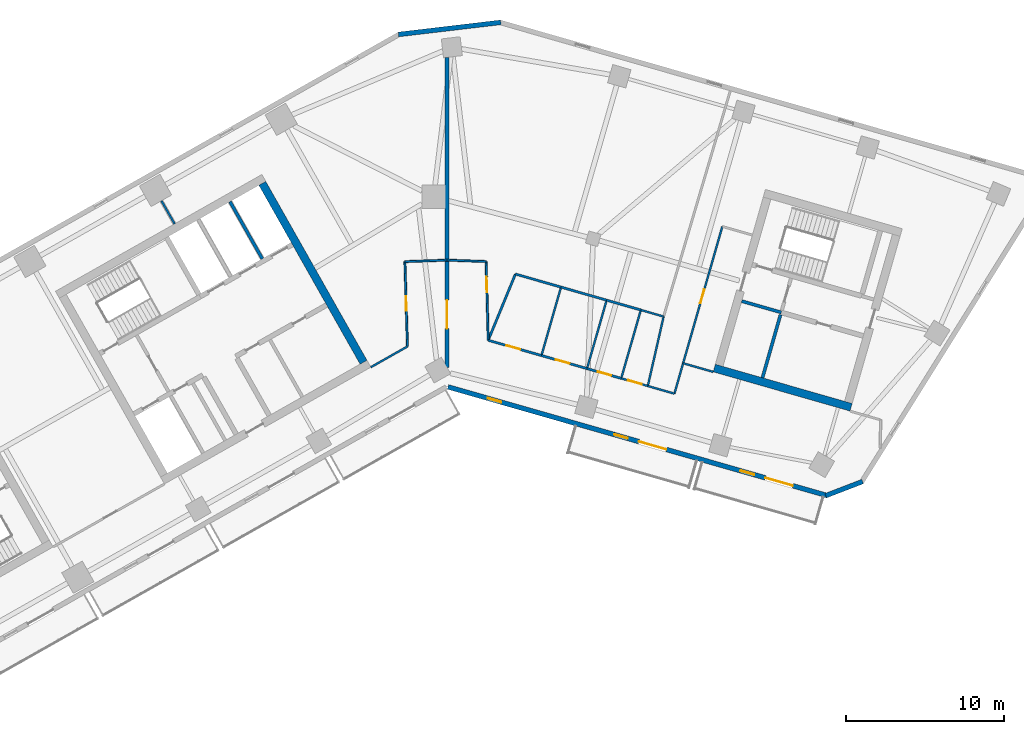
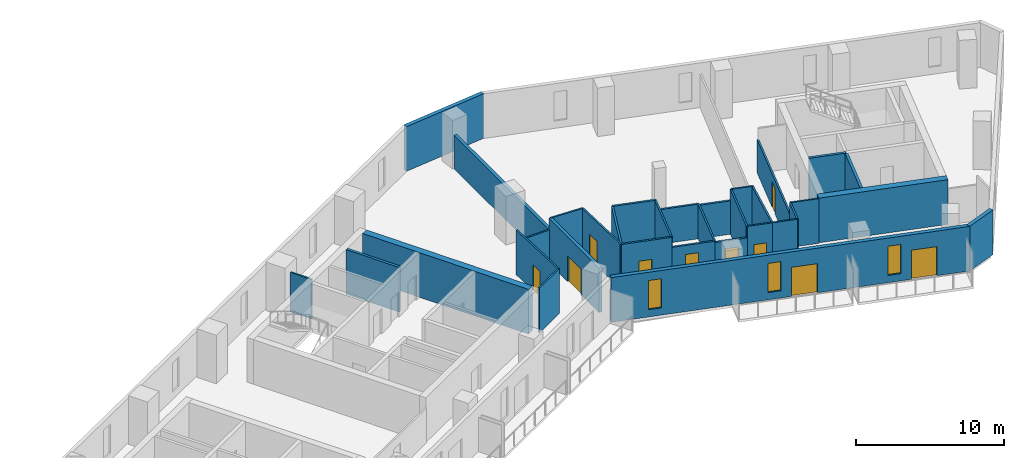
# One storey, part 5 of 9: 33 walls, 10 doors, 3 windows, 13 openings.
"""IFC4 building model written with IfcOpenShell, lengths in metres."""

from ifc_helpers import new_model, si_unit, direction, frame, frame_2d, origin, place, context, subcontext, project, spatial, rectangle, extrude, material, layer, layer_set, type_object, element, fill, save


model = new_model("IFC4")

# Units and contexts
model_context = context("Model", 3, precision=1e-05, world=origin(), true_north=direction((0.0, 1.0)))
body_context = subcontext(model_context, "Body", "Model", "MODEL_VIEW")
ifc_project = project(units=[si_unit("LENGTHUNIT", "METRE"), si_unit("AREAUNIT", "SQUARE_METRE"), si_unit("VOLUMEUNIT", "CUBIC_METRE"), si_unit("PLANEANGLEUNIT", "RADIAN"), si_unit("MASSUNIT", "GRAM", prefix="KILO")], contexts=[model_context])

# Site, building, storey
site_placement = place(None, origin())
site = spatial("IfcSite", under=ifc_project, at=site_placement, CompositionType="ELEMENT")
building_placement = place(site_placement, origin())
building = spatial("IfcBuilding", under=site, at=building_placement, Name="Binnacle Exchange Tower", CompositionType="ELEMENT")
storey_placement = place(building_placement, frame((0.0, 0.0, 166.89990234375)))
storey = spatial("IfcBuildingStorey", under=building, at=storey_placement, Name="L35", CompositionType="ELEMENT", Elevation=166.89990234375)

# Walls
ifc_material_1 = material(Name="Concrete C70/85", Category="concrete")
ifc_layer_1 = layer(ifc_material_1, 0.5)
ifc_layer_set_1 = layer_set([ifc_layer_1], Name="Core wall - outer 500")
wall_type_1 = type_object("IfcWallType", Name="Core wall - outer 500", PredefinedType="SOLIDWALL", material=ifc_layer_set_1)
wall_1_placement = place(storey_placement, frame((-11.686767578125, 60.856201171875, 0.0), z_axis=(0.0, 0.0, 1.0), x_axis=(0.492427267353, -0.870353598469, 0.0)))
element("IfcWall", 1, at=wall_1_placement, inside=storey, type_object=wall_type_1, Name="Core wall CRWC24", PredefinedType="SOLIDWALL", context=body_context, shape_type="SweptSolid", body=[
    extrude(rectangle(XDim=13.0, YDim=0.5, at=frame_2d((6.5, 0.0))), origin(), (0.0, 0.0, 1.0), 3.68017578125),
])
wall_2_placement = place(storey_placement, frame((16.896728515625, 49.173095703125, 0.0), z_axis=(0.0, 0.0, 1.0), x_axis=(0.96126248289, -0.275634611374, 0.0)))
element("IfcWall", 2, at=wall_2_placement, inside=storey, type_object=wall_type_1, Name="Core wall CRWD1", PredefinedType="SOLIDWALL", context=body_context, shape_type="SweptSolid", body=[
    extrude(rectangle(XDim=9.0, YDim=0.5, at=frame_2d((4.5, 0.0))), origin(), (0.0, 0.0, 1.0), 3.68017578125),
])

# Wall, openings, doors, windows
ifc_material_2 = material(Name="Bronze aluminium cladding", Category="aluminium")
ifc_layer_2 = layer(ifc_material_2, 0.300048828125)
ifc_layer_set_2 = layer_set([ifc_layer_2], Name="External wall - spandrel 300")
wall_type_2 = type_object("IfcWallType", Name="External wall - spandrel 300", PredefinedType="STANDARD", material=ifc_layer_set_2)
wall_3_placement = place(storey_placement, frame((24.04248046875, 41.10595703125, 0.0), z_axis=(0.0, 0.0, 1.0), x_axis=(-0.961261693976, 0.275637362661, 0.0)))
wall_3 = element("IfcWall", 3, at=wall_3_placement, inside=storey, type_object=wall_type_2, Name="External wall EW-G02 L35", PredefinedType="STANDARD", context=body_context, shape_type="SweptSolid", body=[
    extrude(rectangle(XDim=24.948486328125, YDim=0.300048828125, at=frame_2d((12.47412109375, 0.0))), origin(), (0.0, 0.0, 1.0), 3.68017578125),
])
opening_1_placement = place(wall_3_placement, frame((21.441162109375, 0.0, 0.60009765625)))
opening_1 = element("IfcOpeningElement", 4, at=opening_1_placement, cuts=wall_3, Name="Opening WS3", PredefinedType="OPENING", context=body_context, shape_type="SweptSolid", body=[
    extrude(rectangle(XDim=0.89990234375, YDim=2.39990234375, at=frame_2d((0.449951171875, 1.199951171875))), frame((0.0, 0.159912109375, 0.0), z_axis=(0.0, -1.0, 0.0), x_axis=(1.0, 0.0, 0.0)), (0.0, 0.0, 1.0), 0.320068359375),
])
opening_2_placement = place(wall_3_placement, frame((13.120849609375, 0.0, 0.60009765625)))
opening_2 = element("IfcOpeningElement", 5, at=opening_2_placement, cuts=wall_3, Name="Opening WS3", PredefinedType="OPENING", context=body_context, shape_type="SweptSolid", body=[
    extrude(rectangle(XDim=0.89990234375, YDim=2.39990234375, at=frame_2d((0.449951171875, 1.199951171875))), frame((0.0, 0.159912109375, 0.0), z_axis=(0.0, -1.0, 0.0), x_axis=(1.0, 0.0, 0.0)), (0.0, 0.0, 1.0), 0.320068359375),
])
opening_3_placement = place(wall_3_placement, frame((10.5908203125, 0.0, 0.0)))
opening_3 = element("IfcOpeningElement", 6, at=opening_3_placement, cuts=wall_3, Name="Opening D-FS11-06", PredefinedType="OPENING", context=body_context, shape_type="SweptSolid", body=[
    extrude(rectangle(XDim=1.800048828125, YDim=2.39990234375, at=frame_2d((0.89990234375, 1.199951171875))), frame((0.0, 0.159912109375, 0.0), z_axis=(0.0, -1.0, 0.0), x_axis=(1.0, 0.0, 0.0)), (0.0, 0.0, 1.0), 0.320068359375),
])
opening_4_placement = place(wall_3_placement, frame((4.80029296875, 0.0, 0.60009765625)))
opening_4 = element("IfcOpeningElement", 7, at=opening_4_placement, cuts=wall_3, Name="Opening WS3", PredefinedType="OPENING", context=body_context, shape_type="SweptSolid", body=[
    extrude(rectangle(XDim=0.89990234375, YDim=2.39990234375, at=frame_2d((0.449951171875, 1.199951171875))), frame((0.0, 0.159912109375, 0.0), z_axis=(0.0, -1.0, 0.0), x_axis=(1.0, 0.0, 0.0)), (0.0, 0.0, 1.0), 0.320068359375),
])
opening_5_placement = place(wall_3_placement, frame((2.270263671875, 0.0, 0.0)))
opening_5 = element("IfcOpeningElement", 8, at=opening_5_placement, cuts=wall_3, Name="Opening D-FS11-07", PredefinedType="OPENING", context=body_context, shape_type="SweptSolid", body=[
    extrude(rectangle(XDim=1.800048828125, YDim=2.39990234375, at=frame_2d((0.89990234375, 1.199951171875))), frame((0.0, 0.159912109375, 0.0), z_axis=(0.0, -1.0, 0.0), x_axis=(1.0, 0.0, 0.0)), (0.0, 0.0, 1.0), 0.320068359375),
])
ifc_material_3 = material(Name="Bronze anodised aluminium frame", Category="aluminium")
door_type_1 = type_object("IfcDoorType", Name="DB DOOR 1800x2400", OperationType="DOUBLE_DOOR_SINGLE_SWING", PredefinedType="DOOR", material=ifc_material_3)
door_1_placement = place(opening_3_placement, origin())
door_1 = element("IfcDoor", 9, at=door_1_placement, inside=storey, type_object=door_type_1, Name="Door D-FS11-06 L35", OperationType="DOUBLE_DOOR_SINGLE_SWING", OverallHeight=2.39990234375, OverallWidth=1.800048828125, PredefinedType="DOOR", context=body_context, shape_type="SweptSolid", body=[
    extrude(rectangle(XDim=1.800048828125, YDim=2.39990234375, at=frame_2d((0.89990234375, 1.199951171875))), frame((0.0, 0.02490234375, 0.0), z_axis=(0.0, -1.0, 0.0), x_axis=(1.0, 0.0, 0.0)), (0.0, 0.0, 1.0), 0.050048828125),
])
fill(opening_3, door_1)
door_2_placement = place(opening_5_placement, origin())
door_2 = element("IfcDoor", 10, at=door_2_placement, inside=storey, type_object=door_type_1, Name="Door D-FS11-07 L35", OperationType="DOUBLE_DOOR_SINGLE_SWING", OverallHeight=2.39990234375, OverallWidth=1.800048828125, PredefinedType="DOOR", context=body_context, shape_type="SweptSolid", body=[
    extrude(rectangle(XDim=1.800048828125, YDim=2.39990234375, at=frame_2d((0.89990234375, 1.199951171875))), frame((0.0, 0.02490234375, 0.0), z_axis=(0.0, -1.0, 0.0), x_axis=(1.0, 0.0, 0.0)), (0.0, 0.0, 1.0), 0.050048828125),
])
fill(opening_5, door_2)
window_type = type_object("IfcWindowType", Name="WS3 WINDOW 900x2400", PartitioningType="SINGLE_PANEL", PredefinedType="WINDOW", material=ifc_material_3)
window_1_placement = place(opening_1_placement, origin())
window_1 = element("IfcWindow", 11, at=window_1_placement, inside=storey, type_object=window_type, Name="Window WS3 L35", OverallHeight=2.39990234375, OverallWidth=0.89990234375, PartitioningType="SINGLE_PANEL", PredefinedType="WINDOW", context=body_context, shape_type="SweptSolid", body=[
    extrude(rectangle(XDim=0.89990234375, YDim=2.39990234375, at=frame_2d((0.449951171875, 1.199951171875))), frame((0.0, 0.030029296875, 0.0), z_axis=(0.0, -1.0, 0.0), x_axis=(1.0, 0.0, 0.0)), (0.0, 0.0, 1.0), 0.06005859375),
])
fill(opening_1, window_1)
window_2_placement = place(opening_2_placement, origin())
window_2 = element("IfcWindow", 12, at=window_2_placement, inside=storey, type_object=window_type, Name="Window WS3 L35", OverallHeight=2.39990234375, OverallWidth=0.89990234375, PartitioningType="SINGLE_PANEL", PredefinedType="WINDOW", context=body_context, shape_type="SweptSolid", body=[
    extrude(rectangle(XDim=0.89990234375, YDim=2.39990234375, at=frame_2d((0.449951171875, 1.199951171875))), frame((0.0, 0.030029296875, 0.0), z_axis=(0.0, -1.0, 0.0), x_axis=(1.0, 0.0, 0.0)), (0.0, 0.0, 1.0), 0.06005859375),
])
fill(opening_2, window_2)
window_3_placement = place(opening_4_placement, origin())
window_3 = element("IfcWindow", 13, at=window_3_placement, inside=storey, type_object=window_type, Name="Window WS3 L35", OverallHeight=2.39990234375, OverallWidth=0.89990234375, PartitioningType="SINGLE_PANEL", PredefinedType="WINDOW", context=body_context, shape_type="SweptSolid", body=[
    extrude(rectangle(XDim=0.89990234375, YDim=2.39990234375, at=frame_2d((0.449951171875, 1.199951171875))), frame((0.0, 0.030029296875, 0.0), z_axis=(0.0, -1.0, 0.0), x_axis=(1.0, 0.0, 0.0)), (0.0, 0.0, 1.0), 0.06005859375),
])
fill(opening_4, window_3)

# Walls
wall_4_placement = place(storey_placement, frame((26.27783203125, 41.996337890625, 0.0), z_axis=(0.0, 0.0, 1.0), x_axis=(-0.933592404159, -0.358336745112, 0.0)))
element("IfcWall", 14, at=wall_4_placement, inside=storey, type_object=wall_type_2, Name="External wall EW-G03 L35", PredefinedType="STANDARD", context=body_context, shape_type="SweptSolid", body=[
    extrude(rectangle(XDim=2.496337890625, YDim=0.300048828125, at=frame_2d((1.248046875, 0.0))), origin(), (0.0, 0.0, 1.0), 3.68017578125),
])
wall_5_placement = place(storey_placement, frame((-3.076171875, 70.27294921875, 0.0), z_axis=(0.0, 0.0, 1.0), x_axis=(0.993067743007, 0.117543429416, 0.0)))
element("IfcWall", 15, at=wall_5_placement, inside=storey, type_object=wall_type_2, Name="External wall EW-G07 L35", PredefinedType="STANDARD", context=body_context, shape_type="SweptSolid", body=[
    extrude(rectangle(XDim=6.515625, YDim=0.300048828125, at=frame_2d((3.2578125, 0.0))), origin(), (0.0, 0.0, 1.0), 3.68017578125),
])

# Wall, opening, door
ifc_material_4 = material(Name="Concrete fire wall C30/37", Category="concrete")
ifc_layer_3 = layer(ifc_material_4, 0.25)
ifc_layer_set_3 = layer_set([ifc_layer_3], Name="Fire wall - compartment 250")
wall_type_3 = type_object("IfcWallType", Name="Fire wall - compartment 250", PredefinedType="PARTITIONING", material=ifc_layer_set_3)
wall_6_placement = place(storey_placement, frame((0.0, 49.218994140625, 0.0), z_axis=(0.0, 0.0, 1.0), x_axis=(0.0, 1.0, 0.0)))
wall_6 = element("IfcWall", 16, at=wall_6_placement, inside=storey, type_object=wall_type_3, Name="Fire Wall W09", PredefinedType="PARTITIONING", context=body_context, shape_type="SweptSolid", body=[
    extrude(rectangle(XDim=6.781005859375, YDim=0.25, at=frame_2d((3.390625, 0.0))), origin(), (0.0, 0.0, 1.0), 3.68017578125),
])
opening_6_placement = place(wall_6_placement, frame((2.449951171875, 0.0, 0.0)))
opening_6 = element("IfcOpeningElement", 17, at=opening_6_placement, cuts=wall_6, Name="Opening DL35-10", PredefinedType="OPENING", context=body_context, shape_type="SweptSolid", body=[
    extrude(rectangle(XDim=1.800048828125, YDim=2.10009765625, at=frame_2d((0.89990234375, 1.050048828125))), frame((0.0, 0.135009765625, 0.0), z_axis=(0.0, -1.0, 0.0), x_axis=(1.0, 0.0, 0.0)), (0.0, 0.0, 1.0), 0.27001953125),
])
ifc_material_5 = material(Name="Steel door leaf", Category="steel")
door_type_2 = type_object("IfcDoorType", Name="Fire door 1800", OperationType="NOTDEFINED", PredefinedType="DOOR", material=ifc_material_5)
door_3_placement = place(opening_6_placement, origin())
door_3 = element("IfcDoor", 18, at=door_3_placement, inside=storey, type_object=door_type_2, Name="Door DL35-10", OperationType="DOUBLE_DOOR_SINGLE_SWING", OverallHeight=2.10009765625, OverallWidth=1.800048828125, PredefinedType="DOOR", context=body_context, shape_type="SweptSolid", body=[
    extrude(rectangle(XDim=1.800048828125, YDim=2.10009765625, at=frame_2d((0.89990234375, 1.050048828125))), frame((0.0, 0.02490234375, 0.0), z_axis=(0.0, -1.0, 0.0), x_axis=(1.0, 0.0, 0.0)), (0.0, 0.0, 1.0), 0.050048828125),
])
fill(opening_6, door_3)

# Walls
wall_7_placement = place(storey_placement, frame((0.0, 56.0, 0.0), z_axis=(0.0, 0.0, 1.0), x_axis=(0.0, 1.0, 0.0)))
element("IfcWall", 19, at=wall_7_placement, inside=storey, type_object=wall_type_3, Name="Fire Wall W10", PredefinedType="PARTITIONING", context=body_context, shape_type="SweptSolid", body=[
    extrude(rectangle(XDim=12.823974609375, YDim=0.25, at=frame_2d((6.412109375, 0.0))), origin(), (0.0, 0.0, 1.0), 2.748046875),
])
ifc_material_6 = material(Name="Gypsum partition fire rated")
ifc_layer_4 = layer(ifc_material_6, 0.14990234375)
ifc_layer_set_4 = layer_set([ifc_layer_4], Name="Fire-rated partition 150")
wall_type_4 = type_object("IfcWallType", Name="Fire-rated partition 150", PredefinedType="PARTITIONING", material=ifc_layer_set_4)
wall_8_placement = place(storey_placement, frame((2.60107421875, 50.931884765625, 0.0), z_axis=(0.0, 0.0, 1.0), x_axis=(0.380066317543, 0.924959239247, 0.0)))
element("IfcWall", 20, at=wall_8_placement, inside=storey, type_object=wall_type_4, Name="Partition W13", PredefinedType="PARTITIONING", context=body_context, shape_type="SweptSolid", body=[
    extrude(rectangle(XDim=4.528076171875, YDim=0.14990234375, at=frame_2d((2.26416015625, 0.0))), origin(), (0.0, 0.0, 1.0), 3.68017578125),
])

# Wall, opening, door
wall_9_placement = place(storey_placement, frame((2.60107421875, 50.931884765625, 0.0), z_axis=(0.0, 0.0, 1.0), x_axis=(0.961265606965, -0.27562371608, 0.0)))
wall_9 = element("IfcWall", 21, at=wall_9_placement, inside=storey, type_object=wall_type_4, Name="Partition W14", PredefinedType="PARTITIONING", context=body_context, shape_type="SweptSolid", body=[
    extrude(rectangle(XDim=3.50048828125, YDim=0.14990234375, at=frame_2d((1.750244140625, 0.0))), origin(), (0.0, 0.0, 1.0), 3.68017578125),
])
opening_7_placement = place(wall_9_placement, frame((1.199951171875, 0.0, 0.0)))
opening_7 = element("IfcOpeningElement", 22, at=opening_7_placement, cuts=wall_9, Name="Opening DL35-04", PredefinedType="OPENING", context=body_context, shape_type="SweptSolid", body=[
    extrude(rectangle(XDim=0.89990234375, YDim=2.10009765625, at=frame_2d((0.449951171875, 1.050048828125))), frame((0.0, 0.0849609375, 0.0), z_axis=(0.0, -1.0, 0.0), x_axis=(1.0, 0.0, 0.0)), (0.0, 0.0, 1.0), 0.169921875),
])
door_type_3 = type_object("IfcDoorType", Name="Fire door 900", OperationType="NOTDEFINED", PredefinedType="DOOR", material=ifc_material_5)
door_4_placement = place(opening_7_placement, origin())
door_4 = element("IfcDoor", 23, at=door_4_placement, inside=storey, type_object=door_type_3, Name="Door DL35-04", OperationType="SINGLE_SWING_LEFT", OverallHeight=2.10009765625, OverallWidth=0.89990234375, PredefinedType="DOOR", context=body_context, shape_type="SweptSolid", body=[
    extrude(rectangle(XDim=0.89990234375, YDim=2.10009765625, at=frame_2d((0.449951171875, 1.050048828125))), frame((0.0, 0.02490234375, 0.0), z_axis=(0.0, -1.0, 0.0), x_axis=(1.0, 0.0, 0.0)), (0.0, 0.0, 1.0), 0.050048828125),
])
fill(opening_7, door_4)

# Wall
wall_10_placement = place(storey_placement, frame((4.322021484375, 55.1201171875, 0.0), z_axis=(0.0, 0.0, 1.0), x_axis=(0.961247103494, -0.275688240636, 0.0)))
element("IfcWall", 24, at=wall_10_placement, inside=storey, type_object=wall_type_4, Name="Partition W15", PredefinedType="PARTITIONING", context=body_context, shape_type="SweptSolid", body=[
    extrude(rectangle(XDim=3.000244140625, YDim=0.14990234375, at=frame_2d((1.5, 0.0))), origin(), (0.0, 0.0, 1.0), 3.68017578125),
])

# Wall, opening, door
wall_11_placement = place(storey_placement, frame((5.966064453125, 49.967041015625, 0.0), z_axis=(0.0, 0.0, 1.0), x_axis=(0.961222353496, -0.275774522283, 0.0)))
wall_11 = element("IfcWall", 25, at=wall_11_placement, inside=storey, type_object=wall_type_4, Name="Partition W17", PredefinedType="PARTITIONING", context=body_context, shape_type="SweptSolid", body=[
    extrude(rectangle(XDim=2.999267578125, YDim=0.14990234375, at=frame_2d((1.49951171875, 0.0))), origin(), (0.0, 0.0, 1.0), 2.85205078125),
])
opening_8_placement = place(wall_11_placement, frame((0.949951171875, 0.0, 0.0)))
opening_8 = element("IfcOpeningElement", 26, at=opening_8_placement, cuts=wall_11, Name="Opening DL35-05", PredefinedType="OPENING", context=body_context, shape_type="SweptSolid", body=[
    extrude(rectangle(XDim=0.89990234375, YDim=2.10009765625, at=frame_2d((0.449951171875, 1.050048828125))), frame((0.0, 0.0849609375, 0.0), z_axis=(0.0, -1.0, 0.0), x_axis=(1.0, 0.0, 0.0)), (0.0, 0.0, 1.0), 0.169921875),
])
door_5_placement = place(opening_8_placement, origin())
door_5 = element("IfcDoor", 27, at=door_5_placement, inside=storey, type_object=door_type_3, Name="Door DL35-05", OperationType="SINGLE_SWING_LEFT", OverallHeight=2.10009765625, OverallWidth=0.89990234375, PredefinedType="DOOR", context=body_context, shape_type="SweptSolid", body=[
    extrude(rectangle(XDim=0.89990234375, YDim=2.10009765625, at=frame_2d((0.449951171875, 1.050048828125))), frame((0.0, 0.02490234375, 0.0), z_axis=(0.0, -1.0, 0.0), x_axis=(1.0, 0.0, 0.0)), (0.0, 0.0, 1.0), 0.050048828125),
])
fill(opening_8, door_5)

# Wall
wall_12_placement = place(storey_placement, frame((7.2060546875, 54.29296875, 0.0), z_axis=(0.0, 0.0, 1.0), x_axis=(0.961268664977, -0.27561305073, 0.0)))
element("IfcWall", 28, at=wall_12_placement, inside=storey, type_object=wall_type_4, Name="Partition W18", PredefinedType="PARTITIONING", context=body_context, shape_type="SweptSolid", body=[
    extrude(rectangle(XDim=3.000244140625, YDim=0.14990234375, at=frame_2d((1.5, 0.0))), origin(), (0.0, 0.0, 1.0), 2.85205078125),
])

# Wall, opening, door
wall_13_placement = place(storey_placement, frame((8.84912109375, 49.139892578125, 0.0), z_axis=(0.0, 0.0, 1.0), x_axis=(0.961298413165, -0.275509275429, 0.0)))
wall_13 = element("IfcWall", 29, at=wall_13_placement, inside=storey, type_object=wall_type_4, Name="Partition W20", PredefinedType="PARTITIONING", context=body_context, shape_type="SweptSolid", body=[
    extrude(rectangle(XDim=2.25, YDim=0.14990234375, at=frame_2d((1.125, 0.0))), origin(), (0.0, 0.0, 1.0), 2.748046875),
])
opening_9_placement = place(wall_13_placement, frame((0.699951171875, 0.0, 0.0)))
opening_9 = element("IfcOpeningElement", 30, at=opening_9_placement, cuts=wall_13, Name="Opening DL35-06", PredefinedType="OPENING", context=body_context, shape_type="SweptSolid", body=[
    extrude(rectangle(XDim=0.89990234375, YDim=2.10009765625, at=frame_2d((0.449951171875, 1.050048828125))), frame((0.0, 0.0849609375, 0.0), z_axis=(0.0, -1.0, 0.0), x_axis=(1.0, 0.0, 0.0)), (0.0, 0.0, 1.0), 0.169921875),
])
door_6_placement = place(opening_9_placement, origin())
door_6 = element("IfcDoor", 31, at=door_6_placement, inside=storey, type_object=door_type_3, Name="Door DL35-06", OperationType="SINGLE_SWING_RIGHT", OverallHeight=2.10009765625, OverallWidth=0.89990234375, PredefinedType="DOOR", context=body_context, shape_type="SweptSolid", body=[
    extrude(rectangle(XDim=0.89990234375, YDim=2.10009765625, at=frame_2d((0.449951171875, 1.050048828125))), frame((0.0, 0.02490234375, 0.0), z_axis=(0.0, -1.0, 0.0), x_axis=(1.0, 0.0, 0.0)), (0.0, 0.0, 1.0), 0.050048828125),
])
fill(opening_9, door_6)

# Walls
wall_14_placement = place(storey_placement, frame((10.090087890625, 53.466064453125, 0.0), z_axis=(0.0, 0.0, 1.0), x_axis=(0.961269670038, -0.275609545309, 0.0)))
element("IfcWall", 32, at=wall_14_placement, inside=storey, type_object=wall_type_4, Name="Partition W21", PredefinedType="PARTITIONING", context=body_context, shape_type="SweptSolid", body=[
    extrude(rectangle(XDim=2.25, YDim=0.14990234375, at=frame_2d((1.125, 0.0))), origin(), (0.0, 0.0, 1.0), 2.748046875),
])
ifc_material_7 = material(Name="Gypsum partition")
ifc_layer_5 = layer(ifc_material_7, 0.125)
ifc_layer_set_5 = layer_set([ifc_layer_5], Name="Partition 125")
wall_type_5 = type_object("IfcWallType", Name="Partition 125", PredefinedType="PARTITIONING", material=ifc_layer_set_5)
wall_15_placement = place(storey_placement, frame((-18.068115234375, 59.756103515625, 0.0), z_axis=(0.0, 0.0, 1.0), x_axis=(0.495061971856, -0.868857666147, 0.0)))
element("IfcWall", 33, at=wall_15_placement, inside=storey, type_object=wall_type_5, Name="Partition W05", PredefinedType="PARTITIONING", context=body_context, shape_type="SweptSolid", body=[
    extrude(rectangle(XDim=1.68505859375, YDim=0.125, at=frame_2d((0.842529296875, 0.0))), origin(), (0.0, 0.0, 1.0), 3.260009765625),
])
wall_16_placement = place(storey_placement, frame((-4.821044921875, 49.22998046875, 0.0), z_axis=(0.0, 0.0, 1.0), x_axis=(0.870371217631, 0.492396124598, 0.0)))
element("IfcWall", 34, at=wall_16_placement, inside=storey, type_object=wall_type_5, Name="Partition W06", PredefinedType="PARTITIONING", context=body_context, shape_type="SweptSolid", body=[
    extrude(rectangle(XDim=2.65869140625, YDim=0.125, at=frame_2d((1.329345703125, 0.0))), origin(), (0.0, 0.0, 1.0), 3.68017578125),
])

# Wall, opening, door
wall_17_placement = place(storey_placement, frame((-2.669921875, 55.904052734375, 0.0), z_axis=(0.0, 0.0, 1.0), x_axis=(0.030338701418, -0.999539675649, 0.0)))
wall_17 = element("IfcWall", 35, at=wall_17_placement, inside=storey, type_object=wall_type_5, Name="Partition W07", PredefinedType="PARTITIONING", context=body_context, shape_type="SweptSolid", body=[
    extrude(rectangle(XDim=5.367431640625, YDim=0.125, at=frame_2d((2.68359375, 0.0))), origin(), (0.0, 0.0, 1.0), 3.68017578125),
])
opening_10_placement = place(wall_17_placement, frame((2.199951171875, 0.0, 0.0)))
opening_10 = element("IfcOpeningElement", 36, at=opening_10_placement, cuts=wall_17, Name="Opening DL35-03", PredefinedType="OPENING", context=body_context, shape_type="SweptSolid", body=[
    extrude(rectangle(XDim=0.89990234375, YDim=2.10009765625, at=frame_2d((0.449951171875, 1.050048828125))), frame((0.0, 0.072509765625, 0.0), z_axis=(0.0, -1.0, 0.0), x_axis=(1.0, 0.0, 0.0)), (0.0, 0.0, 1.0), 0.14501953125),
])
ifc_material_8 = material(Name="Timber door leaf", Category="wood")
door_type_4 = type_object("IfcDoorType", Name="Door 900", OperationType="NOTDEFINED", PredefinedType="DOOR", material=ifc_material_8)
door_7_placement = place(opening_10_placement, frame((0.89990234375, 0.0, 0.0), z_axis=(0.0, 0.0, 1.0), x_axis=(-1.0, 0.0, 0.0)))
door_7 = element("IfcDoor", 37, at=door_7_placement, inside=storey, type_object=door_type_4, Name="Door DL35-03", OperationType="SINGLE_SWING_RIGHT", OverallHeight=2.10009765625, OverallWidth=0.89990234375, PredefinedType="DOOR", context=body_context, shape_type="SweptSolid", body=[
    extrude(rectangle(XDim=0.89990234375, YDim=2.10009765625, at=frame_2d((0.449951171875, 1.050048828125))), frame((0.0, 0.02490234375, 0.0), z_axis=(0.0, -1.0, 0.0), x_axis=(1.0, 0.0, 0.0)), (0.0, 0.0, 1.0), 0.050048828125),
])
fill(opening_10, door_7)

# Walls
wall_18_placement = place(storey_placement, frame((-2.669921875, 55.904052734375, 0.0), z_axis=(0.0, 0.0, 1.0), x_axis=(0.999354913865, 0.03591317494, 0.0)))
element("IfcWall", 38, at=wall_18_placement, inside=storey, type_object=wall_type_5, Name="Partition W08", PredefinedType="PARTITIONING", context=body_context, shape_type="SweptSolid", body=[
    extrude(rectangle(XDim=2.671630859375, YDim=0.125, at=frame_2d((1.3359375, 0.0))), origin(), (0.0, 0.0, 1.0), 2.748046875),
])
wall_19_placement = place(storey_placement, frame((0.0, 56.0, 0.0), z_axis=(0.0, 0.0, 1.0), x_axis=(0.999349313684, -0.036068673934, 0.0)))
element("IfcWall", 39, at=wall_19_placement, inside=storey, type_object=wall_type_5, Name="Partition W11", PredefinedType="PARTITIONING", context=body_context, shape_type="SweptSolid", body=[
    extrude(rectangle(XDim=2.470703125, YDim=0.125, at=frame_2d((1.2353515625, 0.0))), origin(), (0.0, 0.0, 1.0), 3.68017578125),
])

# Wall, opening, door
wall_20_placement = place(storey_placement, frame((2.468994140625, 55.910888671875, 0.0), z_axis=(0.0, 0.0, 1.0), x_axis=(0.02651808123, -0.999648333849, 0.0)))
wall_20 = element("IfcWall", 40, at=wall_20_placement, inside=storey, type_object=wall_type_5, Name="Partition W12", PredefinedType="PARTITIONING", context=body_context, shape_type="SweptSolid", body=[
    extrude(rectangle(XDim=4.980712890625, YDim=0.125, at=frame_2d((2.490234375, 0.0))), origin(), (0.0, 0.0, 1.0), 3.68017578125),
])
opening_11_placement = place(wall_20_placement, frame((0.949951171875, 0.0, 0.0)))
opening_11 = element("IfcOpeningElement", 41, at=opening_11_placement, cuts=wall_20, Name="Opening DL35-08", PredefinedType="OPENING", context=body_context, shape_type="SweptSolid", body=[
    extrude(rectangle(XDim=1.0, YDim=2.10009765625, at=frame_2d((0.5, 1.050048828125))), frame((0.0, 0.072509765625, 0.0), z_axis=(0.0, -1.0, 0.0), x_axis=(1.0, 0.0, 0.0)), (0.0, 0.0, 1.0), 0.14501953125),
])
door_type_5 = type_object("IfcDoorType", Name="Door 1000", OperationType="NOTDEFINED", PredefinedType="DOOR", material=ifc_material_8)
door_8_placement = place(opening_11_placement, origin())
door_8 = element("IfcDoor", 42, at=door_8_placement, inside=storey, type_object=door_type_5, Name="Door DL35-08", OperationType="SINGLE_SWING_LEFT", OverallHeight=2.10009765625, OverallWidth=1.0, PredefinedType="DOOR", context=body_context, shape_type="SweptSolid", body=[
    extrude(rectangle(XDim=1.0, YDim=2.10009765625, at=frame_2d((0.5, 1.050048828125))), frame((0.0, 0.02490234375, 0.0), z_axis=(0.0, -1.0, 0.0), x_axis=(1.0, 0.0, 0.0)), (0.0, 0.0, 1.0), 0.050048828125),
])
fill(opening_11, door_8)

# Walls
wall_21_placement = place(storey_placement, frame((5.966064453125, 49.967041015625, 0.0), z_axis=(0.0, 0.0, 1.0), x_axis=(0.275545040649, 0.96128816209, 0.0)))
element("IfcWall", 43, at=wall_21_placement, inside=storey, type_object=wall_type_5, Name="Partition W16", PredefinedType="PARTITIONING", context=body_context, shape_type="SweptSolid", body=[
    extrude(rectangle(XDim=4.500244140625, YDim=0.125, at=frame_2d((2.25, 0.0))), origin(), (0.0, 0.0, 1.0), 3.68017578125),
])
wall_22_placement = place(storey_placement, frame((8.84912109375, 49.139892578125, 0.0), z_axis=(0.0, 0.0, 1.0), x_axis=(0.275731175537, 0.961234788612, 0.0)))
element("IfcWall", 44, at=wall_22_placement, inside=storey, type_object=wall_type_5, Name="Partition W19", PredefinedType="PARTITIONING", context=body_context, shape_type="SweptSolid", body=[
    extrude(rectangle(XDim=4.500732421875, YDim=0.125, at=frame_2d((2.25048828125, 0.0))), origin(), (0.0, 0.0, 1.0), 2.85205078125),
])
wall_23_placement = place(storey_placement, frame((11.011962890625, 48.52001953125, 0.0), z_axis=(0.0, 0.0, 1.0), x_axis=(0.275745553681, 0.96123066411, 0.0)))
element("IfcWall", 45, at=wall_23_placement, inside=storey, type_object=wall_type_5, Name="Partition W22", PredefinedType="PARTITIONING", context=body_context, shape_type="SweptSolid", body=[
    extrude(rectangle(XDim=4.50048828125, YDim=0.125, at=frame_2d((2.250244140625, 0.0))), origin(), (0.0, 0.0, 1.0), 3.68017578125),
])

# Wall, opening, door
wall_24_placement = place(storey_placement, frame((11.011962890625, 48.52001953125, 0.0), z_axis=(0.0, 0.0, 1.0), x_axis=(0.961323619822, -0.275421309946, 0.0)))
wall_24 = element("IfcWall", 46, at=wall_24_placement, inside=storey, type_object=wall_type_5, Name="Partition W23", PredefinedType="PARTITIONING", context=body_context, shape_type="SweptSolid", body=[
    extrude(rectangle(XDim=1.749755859375, YDim=0.125, at=frame_2d((0.875, 0.0))), origin(), (0.0, 0.0, 1.0), 3.68017578125),
])
opening_12_placement = place(wall_24_placement, frame((0.449951171875, 0.0, 0.0)))
opening_12 = element("IfcOpeningElement", 47, at=opening_12_placement, cuts=wall_24, Name="Opening DL35-07", PredefinedType="OPENING", context=body_context, shape_type="SweptSolid", body=[
    extrude(rectangle(XDim=0.89990234375, YDim=2.10009765625, at=frame_2d((0.449951171875, 1.050048828125))), frame((0.0, 0.072509765625, 0.0), z_axis=(0.0, -1.0, 0.0), x_axis=(1.0, 0.0, 0.0)), (0.0, 0.0, 1.0), 0.14501953125),
])
door_9_placement = place(opening_12_placement, origin())
door_9 = element("IfcDoor", 48, at=door_9_placement, inside=storey, type_object=door_type_4, Name="Door DL35-07", OperationType="SINGLE_SWING_RIGHT", OverallHeight=2.10009765625, OverallWidth=0.89990234375, PredefinedType="DOOR", context=body_context, shape_type="SweptSolid", body=[
    extrude(rectangle(XDim=0.89990234375, YDim=2.10009765625, at=frame_2d((0.449951171875, 1.050048828125))), frame((0.0, 0.02490234375, 0.0), z_axis=(0.0, -1.0, 0.0), x_axis=(1.0, 0.0, 0.0)), (0.0, 0.0, 1.0), 0.050048828125),
])
fill(opening_12, door_9)

# Walls
wall_25_placement = place(storey_placement, frame((12.2529296875, 52.845947265625, 0.0), z_axis=(0.0, 0.0, 1.0), x_axis=(0.961117390016, -0.276140114089, 0.0)))
element("IfcWall", 49, at=wall_25_placement, inside=storey, type_object=wall_type_5, Name="Partition W24", PredefinedType="PARTITIONING", context=body_context, shape_type="SweptSolid", body=[
    extrude(rectangle(XDim=1.49951171875, YDim=0.125, at=frame_2d((0.749755859375, 0.0))), origin(), (0.0, 0.0, 1.0), 3.68017578125),
])
wall_26_placement = place(storey_placement, frame((12.694091796875, 48.0380859375, 0.0), z_axis=(0.0, 0.0, 1.0), x_axis=(0.221918494106, 0.975065219344, 0.0)))
element("IfcWall", 50, at=wall_26_placement, inside=storey, type_object=wall_type_5, Name="Partition W25", PredefinedType="PARTITIONING", context=body_context, shape_type="SweptSolid", body=[
    extrude(rectangle(XDim=4.506103515625, YDim=0.125, at=frame_2d((2.2529296875, 0.0))), origin(), (0.0, 0.0, 1.0), 3.68017578125),
])
wall_27_placement = place(storey_placement, frame((12.694091796875, 48.0380859375, 0.0), z_axis=(0.0, 0.0, 1.0), x_axis=(0.961170605556, -0.275954827854, 0.0)))
element("IfcWall", 51, at=wall_27_placement, inside=storey, type_object=wall_type_5, Name="Partition W26", PredefinedType="PARTITIONING", context=body_context, shape_type="SweptSolid", body=[
    extrude(rectangle(XDim=1.750732421875, YDim=0.125, at=frame_2d((0.87548828125, 0.0))), origin(), (0.0, 0.0, 1.0), 3.68017578125),
])
wall_28_placement = place(storey_placement, frame((14.376953125, 47.554931640625, 0.0), z_axis=(0.0, 0.0, 1.0), x_axis=(0.275446387355, 0.961316434736, 0.0)))
element("IfcWall", 52, at=wall_28_placement, inside=storey, type_object=wall_type_5, Name="Partition W28", PredefinedType="PARTITIONING", context=body_context, shape_type="SweptSolid", body=[
    extrude(rectangle(XDim=2.00048828125, YDim=0.125, at=frame_2d((1.000244140625, 0.0))), origin(), (0.0, 0.0, 1.0), 3.68017578125),
])
wall_29_placement = place(storey_placement, frame((14.927978515625, 49.47802734375, 0.0), z_axis=(0.0, 0.0, 1.0), x_axis=(0.961243778232, -0.27569983462, 0.0)))
element("IfcWall", 53, at=wall_29_placement, inside=storey, type_object=wall_type_5, Name="Partition W29", PredefinedType="PARTITIONING", context=body_context, shape_type="SweptSolid", body=[
    extrude(rectangle(XDim=1.9765625, YDim=0.125, at=frame_2d((0.98828125, 0.0))), origin(), (0.0, 0.0, 1.0), 3.68017578125),
])

# Wall, opening, door
wall_30_placement = place(storey_placement, frame((14.927978515625, 49.47802734375, 0.0), z_axis=(0.0, 0.0, 1.0), x_axis=(0.275674053528, 0.961251172281, 0.0)))
wall_30 = element("IfcWall", 54, at=wall_30_placement, inside=storey, type_object=wall_type_5, Name="Partition W30", PredefinedType="PARTITIONING", context=body_context, shape_type="SweptSolid", body=[
    extrude(rectangle(XDim=8.99951171875, YDim=0.125, at=frame_2d((4.499755859375, 0.0))), origin(), (0.0, 0.0, 1.0), 2.748046875),
])
opening_13_placement = place(wall_30_placement, frame((3.949951171875, 0.0, 0.0)))
opening_13 = element("IfcOpeningElement", 55, at=opening_13_placement, cuts=wall_30, Name="Opening DL35-09", PredefinedType="OPENING", context=body_context, shape_type="SweptSolid", body=[
    extrude(rectangle(XDim=0.89990234375, YDim=2.10009765625, at=frame_2d((0.449951171875, 1.050048828125))), frame((0.0, 0.072509765625, 0.0), z_axis=(0.0, -1.0, 0.0), x_axis=(1.0, 0.0, 0.0)), (0.0, 0.0, 1.0), 0.14501953125),
])
door_10_placement = place(opening_13_placement, origin())
door_10 = element("IfcDoor", 56, at=door_10_placement, inside=storey, type_object=door_type_4, Name="Door DL35-09", OperationType="SINGLE_SWING_LEFT", OverallHeight=2.10009765625, OverallWidth=0.89990234375, PredefinedType="DOOR", context=body_context, shape_type="SweptSolid", body=[
    extrude(rectangle(XDim=0.89990234375, YDim=2.10009765625, at=frame_2d((0.449951171875, 1.050048828125))), frame((0.0, 0.02490234375, 0.0), z_axis=(0.0, -1.0, 0.0), x_axis=(1.0, 0.0, 0.0)), (0.0, 0.0, 1.0), 0.050048828125),
])
fill(opening_13, door_10)

# Walls
ifc_material_9 = material(Name="Masonry block wall", Category="masonry")
ifc_layer_6 = layer(ifc_material_9, 0.199951171875)
ifc_layer_set_6 = layer_set([ifc_layer_6], Name="Riser wall 200")
wall_type_6 = type_object("IfcWallType", Name="Riser wall 200", PredefinedType="SOLIDWALL", material=ifc_layer_set_6)
wall_31_placement = place(storey_placement, frame((18.631591796875, 53.4091796875, 0.0), z_axis=(0.0, 0.0, 1.0), x_axis=(0.961247078216, -0.275688328772, 0.0)))
element("IfcWall", 57, at=wall_31_placement, inside=storey, type_object=wall_type_6, Name="Core wall CRWD2", PredefinedType="SOLIDWALL", context=body_context, shape_type="SweptSolid", body=[
    extrude(rectangle(XDim=2.60009765625, YDim=0.199951171875, at=frame_2d((1.300048828125, 0.0))), origin(), (0.0, 0.0, 1.0), 3.68017578125),
])
wall_32_placement = place(storey_placement, frame((19.945556640625, 48.55908203125, 0.0), z_axis=(0.0, 0.0, 1.0), x_axis=(0.275668905258, 0.961252648721, 0.0)))
element("IfcWall", 58, at=wall_32_placement, inside=storey, type_object=wall_type_6, Name="Core wall CRWD8", PredefinedType="SOLIDWALL", context=body_context, shape_type="SweptSolid", body=[
    extrude(rectangle(XDim=4.150146484375, YDim=0.199951171875, at=frame_2d((2.0751953125, 0.0))), origin(), (0.0, 0.0, 1.0), 3.68017578125),
])
ifc_layer_7 = layer(ifc_material_9, 0.199951171875)
ifc_layer_set_7 = layer_set([ifc_layer_7], Name="Shaft wall 200")
wall_type_7 = type_object("IfcWallType", Name="Shaft wall 200", PredefinedType="SOLIDWALL", material=ifc_layer_set_7)
wall_33_placement = place(storey_placement, frame((-13.73193359375, 59.698974609375, 0.0), z_axis=(0.0, 0.0, 1.0), x_axis=(0.492396453737, -0.870371031427, 0.0)))
element("IfcWall", 59, at=wall_33_placement, inside=storey, type_object=wall_type_7, Name="Core wall CRWC21", PredefinedType="SOLIDWALL", context=body_context, shape_type="SweptSolid", body=[
    extrude(rectangle(XDim=4.14990234375, YDim=0.199951171875, at=frame_2d((2.074951171875, 0.0))), origin(), (0.0, 0.0, 1.0), 3.68017578125),
])

save(model, "model.ifc")
